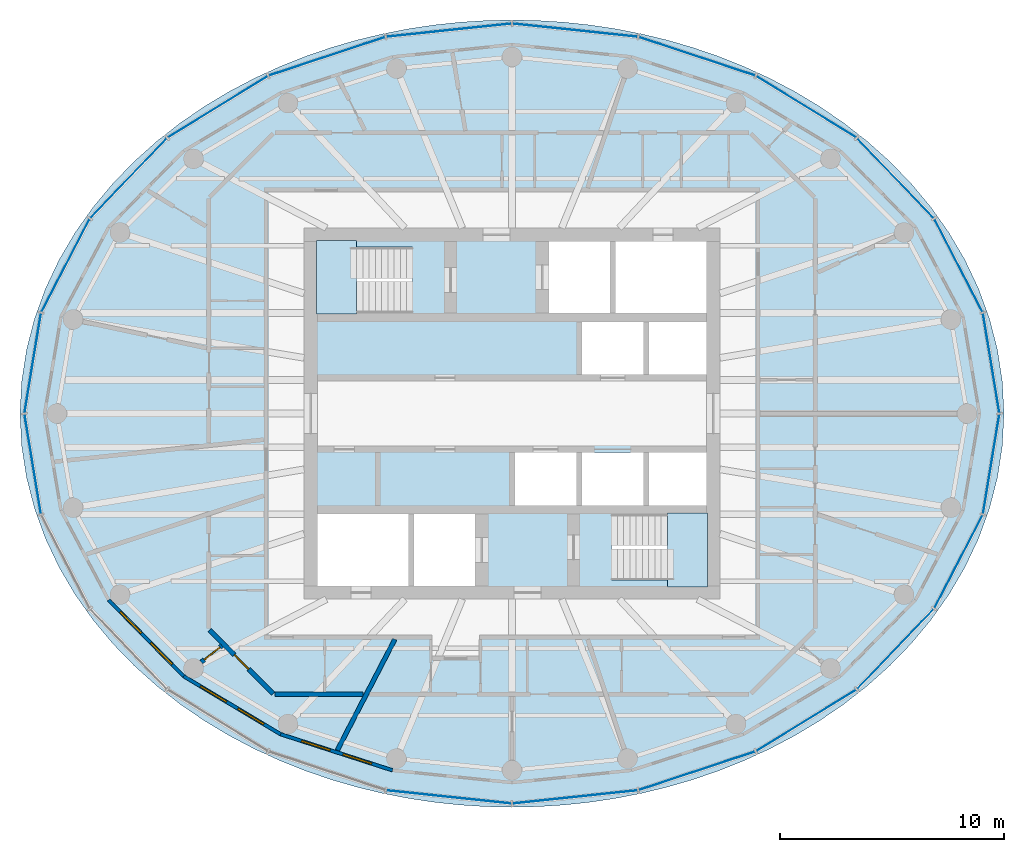
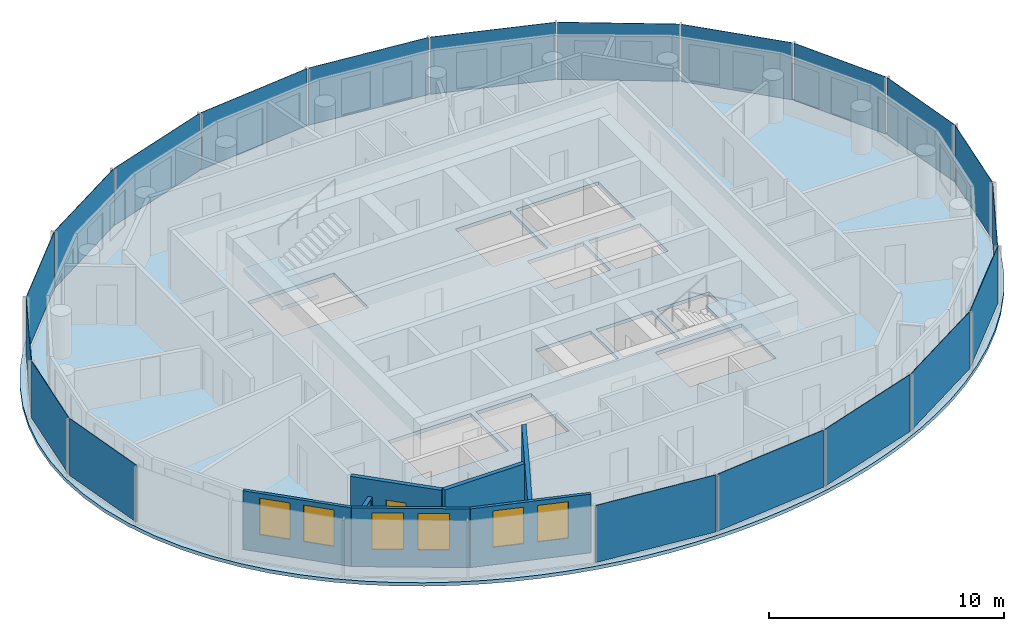
# One storey, part 4 of 11: 20 plates, 7 walls, 6 windows, 3 slabs, 2 doors, 8 openings, 6 elements without a shape of their own.
"""IFC4 building model written with IfcOpenShell, lengths in metres."""

import ifcopenshell
import ifcopenshell.guid

model = None  # the IFC model being written
_history = None  # IfcOwnerHistory: only IFC2X3 demands one
_inside = {}  # id of a spatial element -> (the spatial element, [elements in it])
_under = {}  # id of a project, library or spatial element -> (it, [spatial elements below it])
_declared = {}  # id of a project -> (the project, [libraries it declares])
_typed = {}  # id of a type object -> (the type object, [elements of that type])
_made_of = {}  # id of a material, layer set ... -> (it, [elements and type objects made of it])


def new_model(schema):
    """Start an empty IFC model of exactly this schema.

    Asked for "IFC4X3", IfcOpenShell would pick the latest addendum, in which some entities
    have other attributes; the version numbers below select the first issue.
    IFC2X3 requires an IfcOwnerHistory on every rooted entity: one is made here for all.
    """
    global model, _history
    if schema == "IFC4X3":
        model = ifcopenshell.file(schema_version=(4, 3, 0, 0))
    else:
        model = ifcopenshell.file(schema=schema)
    _inside.clear()
    _under.clear()
    _declared.clear()
    _typed.clear()
    _made_of.clear()
    _history = None
    if model.schema == "IFC2X3":
        org = make("IfcOrganization", Name="unknown")
        user = make(
            "IfcPersonAndOrganization",
            ThePerson=make("IfcPerson", FamilyName="unknown"),
            TheOrganization=org,
        )
        app = make(
            "IfcApplication",
            ApplicationDeveloper=org,
            Version="unknown",
            ApplicationFullName="unknown",
            ApplicationIdentifier="unknown",
        )
        _history = make(
            "IfcOwnerHistory",
            OwningUser=user,
            OwningApplication=app,
            ChangeAction="ADDED",
            CreationDate=0,
        )
    return model


def make(cls, **values):
    """One entity of the class cls with the attributes given. An attribute that is None is left unset."""
    return model.create_entity(
        cls, **{name: value for name, value in values.items() if value is not None}
    )


def rooted(cls, **values):
    """An entity with a GlobalId (a new one), such as an element, a storey or a relation."""
    return make(cls, GlobalId=ifcopenshell.guid.new(), OwnerHistory=_history, **values)


def si_unit(unit_type, name, prefix=None):
    """IfcSIUnit, for example si_unit("LENGTHUNIT", "METRE", prefix="MILLI")."""
    return make("IfcSIUnit", UnitType=unit_type, Prefix=prefix, Name=name)


def assignment(units):
    """IfcUnitAssignment: the units of a project."""
    return None if units is None else make("IfcUnitAssignment", Units=units)


def point(xyz):
    """IfcCartesianPoint."""
    return None if xyz is None else make("IfcCartesianPoint", Coordinates=xyz)


def direction(xyz):
    """IfcDirection."""
    return None if xyz is None else make("IfcDirection", DirectionRatios=xyz)


def frame(location, z_axis=None, x_axis=None):
    """IfcAxis2Placement3D, a coordinate frame: its origin and axes. An axis left out is left unset."""
    return make(
        "IfcAxis2Placement3D",
        Location=point(location),
        Axis=direction(z_axis),
        RefDirection=direction(x_axis),
    )


def frame_2d(location, x_axis=None):
    """IfcAxis2Placement2D, a coordinate frame in the plane: its origin and x axis."""
    return make(
        "IfcAxis2Placement2D", Location=point(location), RefDirection=direction(x_axis)
    )


def origin():
    """The frame at (0, 0, 0) with its axes left unset."""
    return frame((0.0, 0.0, 0.0))


def origin_2d():
    """The frame at (0, 0) in the plane with its x axis left unset."""
    return frame_2d((0.0, 0.0))


def place(relative_to, where):
    """IfcLocalPlacement: puts the frame where relative to a parent placement (None: the world)."""
    return make(
        "IfcLocalPlacement", PlacementRelTo=relative_to, RelativePlacement=where
    )


def context(
    kind, dimensions, precision=None, world=None, true_north=None, identifier=None
):
    """IfcGeometricRepresentationContext, for example the 3D "Model" context."""
    return make(
        "IfcGeometricRepresentationContext",
        ContextIdentifier=identifier,
        ContextType=kind,
        CoordinateSpaceDimension=dimensions,
        Precision=precision,
        WorldCoordinateSystem=world,
        TrueNorth=true_north,
    )


def subcontext(parent, identifier, kind, view, scale=None):
    """IfcGeometricRepresentationSubContext, for example "Body" below "Model"."""
    return make(
        "IfcGeometricRepresentationSubContext",
        ContextIdentifier=identifier,
        ContextType=kind,
        ParentContext=parent,
        TargetScale=scale,
        TargetView=view,
    )


def project(units=None, contexts=None):
    """IfcProject with its units and contexts."""
    return rooted(
        "IfcProject",
        Name="project",
        RepresentationContexts=contexts,
        UnitsInContext=assignment(units),
    )


def spatial(cls, under=None, at=None, **own):
    """A site, building, storey or space (cls), placed at a placement, below another one or the project."""
    s = rooted(cls, ObjectPlacement=at, **own)
    if under is not None:
        _under.setdefault(under.id(), (under, []))[1].append(s)
    return s


def polyline(points):
    """IfcPolyline through the points."""
    return make("IfcPolyline", Points=[point(p) for p in points])


def profile(cls, at=None, kind="AREA", **sizes):
    """A parametric profile (cls). Its sizes go by their IFC names, for example OverallWidth=200.0."""
    return make(cls, ProfileType=kind, Position=at, **sizes)


def rectangle(**sizes):
    """IfcRectangleProfileDef."""
    return profile("IfcRectangleProfileDef", **sizes)


def outline(outer, holes=None, kind="AREA"):
    """IfcArbitraryClosedProfileDef: a profile drawn as a closed curve; with holes, ...WithVoids."""
    if holes is None:
        return make("IfcArbitraryClosedProfileDef", ProfileType=kind, OuterCurve=outer)
    return make(
        "IfcArbitraryProfileDefWithVoids",
        ProfileType=kind,
        OuterCurve=outer,
        InnerCurves=holes,
    )


def extrude(swept, where, along, depth):
    """IfcExtrudedAreaSolid: the profile swept, set in the frame where, extruded along a direction by depth."""
    return make(
        "IfcExtrudedAreaSolid",
        SweptArea=swept,
        Position=where,
        ExtrudedDirection=direction(along),
        Depth=depth,
    )


def shape(context_of_items, identifier, shape_type, items):
    """IfcShapeRepresentation: the items that make up one representation, for example the "Body"."""
    return make(
        "IfcShapeRepresentation",
        ContextOfItems=context_of_items,
        RepresentationIdentifier=identifier,
        RepresentationType=shape_type,
        Items=items,
    )


def material(Name=None, Category=None):
    """IfcMaterial."""
    return make("IfcMaterial", Name=Name, Category=Category)


def layer(
    of_material, thickness, ventilated=None, Name=None, Category=None, Priority=None
):
    """IfcMaterialLayer: one layer of a wall or slab, of a material (None: an air gap)."""
    return make(
        "IfcMaterialLayer",
        Material=of_material,
        LayerThickness=thickness,
        IsVentilated=ventilated,
        Name=Name,
        Category=Category,
        Priority=Priority,
    )


def layer_set(layers, Name=None):
    """IfcMaterialLayerSet."""
    return make("IfcMaterialLayerSet", MaterialLayers=layers, LayerSetName=Name)


def made_of(thing, what):
    """Note that an element or type object is made of a material, layer set ...; save() writes the relation."""
    if what is not None:
        _made_of.setdefault(what.id(), (what, []))[1].append(thing)
    return thing


def type_object(cls, material=None, **own):
    """A type object (cls), such as IfcWallType, which elements share."""
    return made_of(rooted(cls, **own), material)


def element(
    cls,
    number,
    at=None,
    inside=None,
    cuts=None,
    type_object=None,
    material=None,
    context=None,
    identifier="Body",
    shape_type=None,
    held_by="IfcProductDefinitionShape",
    body=None,
    shapes=None,
    **own,
):
    """One element of the class cls, such as IfcWall. Its Tag is "e" and its number.

    at: its placement. inside: the storey or other place that contains it. cuts: it is an
    opening in that element (IfcRelVoidsElement). A single representation is given by context,
    identifier, shape_type and body (its items); several are given by shapes. held_by: the class
    of the entity that holds the representations. save() writes the other relations.
    """
    e = rooted(cls, Tag="e%d" % number, ObjectPlacement=at, **own)
    if body is not None:
        shapes = [shape(context, identifier, shape_type, body)]
    if shapes is not None:
        e.Representation = make(held_by, Representations=shapes)
    if inside is not None:
        _inside.setdefault(inside.id(), (inside, []))[1].append(e)
    if cuts is not None:
        rooted(
            "IfcRelVoidsElement", RelatingBuildingElement=cuts, RelatedOpeningElement=e
        )
    if type_object is not None:
        _typed.setdefault(type_object.id(), (type_object, []))[1].append(e)
    return made_of(e, material)


def fill(opening, filler):
    """IfcRelFillsElement: the door or window that sits in an opening."""
    return rooted(
        "IfcRelFillsElement",
        RelatingOpeningElement=opening,
        RelatedBuildingElement=filler,
    )


def aggregate(whole, parts):
    """IfcRelAggregates: a whole, such as a stair, and the parts it consists of."""
    return rooted("IfcRelAggregates", RelatingObject=whole, RelatedObjects=parts)


def save(model, path):
    """Write the relations noted so far, then the file.

    IfcRelAggregates (storeys below a building ...), IfcRelContainedInSpatialStructure (elements
    in a storey), IfcRelDefinesByType, IfcRelAssociatesMaterial and IfcRelDeclares: one each for
    every whole, place, type object, material and project.
    """
    for whole, parts in _under.values():
        aggregate(whole, parts)
    for where, things in _inside.values():
        rooted(
            "IfcRelContainedInSpatialStructure",
            RelatedElements=things,
            RelatingStructure=where,
        )
    for kind, things in _typed.values():
        rooted("IfcRelDefinesByType", RelatedObjects=things, RelatingType=kind)
    for what, things in _made_of.values():
        rooted("IfcRelAssociatesMaterial", RelatedObjects=things, RelatingMaterial=what)
    for by, libraries in _declared.values():
        rooted("IfcRelDeclares", RelatingContext=by, RelatedDefinitions=libraries)
    model.write(path)


model = new_model("IFC4")

# Units and contexts
model_context = context("Model", 3, precision=1e-05, world=origin(), true_north=direction((0.0, 1.0)))
body_context = subcontext(model_context, "Body", "Model", "MODEL_VIEW")
ifc_project = project(units=[si_unit("LENGTHUNIT", "METRE"), si_unit("AREAUNIT", "SQUARE_METRE"), si_unit("VOLUMEUNIT", "CUBIC_METRE"), si_unit("PLANEANGLEUNIT", "RADIAN"), si_unit("MASSUNIT", "GRAM", prefix="KILO")], contexts=[model_context])

# Site, building, storey
site_placement = place(None, origin())
site = spatial("IfcSite", under=ifc_project, at=site_placement, CompositionType="ELEMENT")
building_placement = place(site_placement, origin())
building = spatial("IfcBuilding", under=site, at=building_placement, Name="Hankou Lantern Tower", CompositionType="ELEMENT")
storey_placement = place(building_placement, frame((0.0, 0.0, 229.199951171875)))
storey = spatial("IfcBuildingStorey", under=building, at=storey_placement, Name="L62", CompositionType="ELEMENT", Elevation=229.199951171875)

# Curtain wall, plates
ifc_material_1 = material(Name="Glass, dark grey tinted laminated", Category="glass")
curtain_wall_type = type_object("IfcCurtainWallType", Name="CWD OUTER SKIN SUITE", PredefinedType="USERDEFINED", material=ifc_material_1)
curtain_wall_1_placement = place(storey_placement, origin())
curtain_wall_1 = element("IfcCurtainWall", 1, at=curtain_wall_1_placement, inside=storey, type_object=curtain_wall_type, Name="CWD L62 OS1", ObjectType="OUTER SKIN SUITE", PredefinedType="USERDEFINED")
ifc_material_2 = material(Name="Glass, dark grey tinted laminated", Category="glass")
ifc_layer_1 = layer(ifc_material_2, 0.02392578125)
ifc_layer_set_1 = layer_set([ifc_layer_1], Name="Glass, dark grey tinted laminated")
plate_type = type_object("IfcPlateType", Name="PN1 OUTER SKIN GLASS PANEL", PredefinedType="CURTAIN_PANEL", material=ifc_layer_set_1)
plate_1_placement = place(storey_placement, frame((21.4287109375, 2.2568359375, 0.080078125), z_axis=(0.0, 0.0, 1.0), x_axis=(-0.162381515188, 0.986728049427, 0.0)))
plate_1 = element("IfcPlate", 2, at=plate_1_placement, type_object=plate_type, Name="CWD glass panel 1", PredefinedType="CURTAIN_PANEL", context=body_context, shape_type="SweptSolid", body=[
    extrude(rectangle(XDim=4.49462890625, YDim=0.02392578125, at=origin_2d()), origin(), (0.0, 0.0, 1.0), 2.969970703125),
])
plate_2_placement = place(storey_placement, frame((19.96826171875, 6.616943359375, 0.080078125), z_axis=(0.0, 0.0, 1.0), x_axis=(-0.459791091957, 0.888027112062, 0.0)))
plate_2 = element("IfcPlate", 3, at=plate_2_placement, type_object=plate_type, Name="CWD glass panel 2", PredefinedType="CURTAIN_PANEL", context=body_context, shape_type="SweptSolid", body=[
    extrude(rectangle(XDim=4.656494140625, YDim=0.02392578125, at=origin_2d()), origin(), (0.0, 0.0, 1.0), 2.969970703125),
])
plate_3_placement = place(storey_placement, frame((17.147216796875, 10.52587890625, 0.080078125), z_axis=(0.0, 0.0, 1.0), x_axis=(-0.692215809936, 0.721690565599, 0.0)))
plate_3 = element("IfcPlate", 4, at=plate_3_placement, type_object=plate_type, Name="CWD glass panel 3", PredefinedType="CURTAIN_PANEL", context=body_context, shape_type="SweptSolid", body=[
    extrude(rectangle(XDim=4.9248046875, YDim=0.02392578125, at=origin_2d()), origin(), (0.0, 0.0, 1.0), 2.969970703125),
])
plate_4_placement = place(storey_placement, frame((13.157470703125, 13.7177734375, 0.080078125), z_axis=(0.0, 0.0, 1.0), x_axis=(-0.852237151549, 0.523155653242, 0.0)))
plate_4 = element("IfcPlate", 5, at=plate_4_placement, type_object=plate_type, Name="CWD glass panel 4", PredefinedType="CURTAIN_PANEL", context=body_context, shape_type="SweptSolid", body=[
    extrude(rectangle(XDim=5.2177734375, YDim=0.02392578125, at=origin_2d()), origin(), (0.0, 0.0, 1.0), 2.969970703125),
])
plate_5_placement = place(storey_placement, frame((8.271240234375, 15.974609375, 0.080078125), z_axis=(0.0, 0.0, 1.0), x_axis=(-0.949240677293, 0.31455068999, 0.0)))
plate_5 = element("IfcPlate", 6, at=plate_5_placement, type_object=plate_type, Name="CWD glass panel 5", PredefinedType="CURTAIN_PANEL", context=body_context, shape_type="SweptSolid", body=[
    extrude(rectangle(XDim=5.458984375, YDim=0.02392578125, at=origin_2d()), origin(), (0.0, 0.0, 1.0), 2.969970703125),
])
plate_6_placement = place(storey_placement, frame((2.821044921875, 17.142822265625, 0.080078125), z_axis=(0.0, 0.0, 1.0), x_axis=(-0.994499359107, 0.104742659579, 0.0)))
plate_6 = element("IfcPlate", 7, at=plate_6_placement, type_object=plate_type, Name="CWD glass panel 6", PredefinedType="CURTAIN_PANEL", context=body_context, shape_type="SweptSolid", body=[
    extrude(rectangle(XDim=5.593505859375, YDim=0.02392578125, at=origin_2d()), origin(), (0.0, 0.0, 1.0), 2.969970703125),
])
aggregate(curtain_wall_1, [plate_1, plate_2, plate_3, plate_4, plate_5, plate_6])

curtain_wall_2_placement = place(storey_placement, origin())
curtain_wall_2 = element("IfcCurtainWall", 8, at=curtain_wall_2_placement, inside=storey, type_object=curtain_wall_type, Name="CWD L62 OS2", ObjectType="OUTER SKIN SUITE", PredefinedType="USERDEFINED")
plate_7_placement = place(storey_placement, frame((-2.821044921875, 17.142822265625, 0.080078125), z_axis=(0.0, 0.0, 1.0), x_axis=(-0.994499359107, -0.104742659579, 0.0)))
plate_7 = element("IfcPlate", 9, at=plate_7_placement, type_object=plate_type, Name="CWD glass panel 1", PredefinedType="CURTAIN_PANEL", context=body_context, shape_type="SweptSolid", body=[
    extrude(rectangle(XDim=5.593505859375, YDim=0.02392578125, at=origin_2d()), origin(), (0.0, 0.0, 1.0), 2.969970703125),
])
plate_8_placement = place(storey_placement, frame((-8.271240234375, 15.974609375, 0.080078125), z_axis=(0.0, 0.0, 1.0), x_axis=(-0.949240677293, -0.31455068999, 0.0)))
plate_8 = element("IfcPlate", 10, at=plate_8_placement, type_object=plate_type, Name="CWD glass panel 2", PredefinedType="CURTAIN_PANEL", context=body_context, shape_type="SweptSolid", body=[
    extrude(rectangle(XDim=5.458984375, YDim=0.02392578125, at=origin_2d()), origin(), (0.0, 0.0, 1.0), 2.969970703125),
])
plate_9_placement = place(storey_placement, frame((-13.157470703125, 13.7177734375, 0.080078125), z_axis=(0.0, 0.0, 1.0), x_axis=(-0.852237151549, -0.523155653242, 0.0)))
plate_9 = element("IfcPlate", 11, at=plate_9_placement, type_object=plate_type, Name="CWD glass panel 3", PredefinedType="CURTAIN_PANEL", context=body_context, shape_type="SweptSolid", body=[
    extrude(rectangle(XDim=5.2177734375, YDim=0.02392578125, at=origin_2d()), origin(), (0.0, 0.0, 1.0), 2.969970703125),
])
plate_10_placement = place(storey_placement, frame((-17.147216796875, 10.52587890625, 0.080078125), z_axis=(0.0, 0.0, 1.0), x_axis=(-0.692215809936, -0.721690565599, 0.0)))
plate_10 = element("IfcPlate", 12, at=plate_10_placement, type_object=plate_type, Name="CWD glass panel 4", PredefinedType="CURTAIN_PANEL", context=body_context, shape_type="SweptSolid", body=[
    extrude(rectangle(XDim=4.9248046875, YDim=0.02392578125, at=origin_2d()), origin(), (0.0, 0.0, 1.0), 2.969970703125),
])
plate_11_placement = place(storey_placement, frame((-19.96826171875, 6.616943359375, 0.080078125), z_axis=(0.0, 0.0, 1.0), x_axis=(-0.459791091957, -0.888027112062, 0.0)))
plate_11 = element("IfcPlate", 13, at=plate_11_placement, type_object=plate_type, Name="CWD glass panel 5", PredefinedType="CURTAIN_PANEL", context=body_context, shape_type="SweptSolid", body=[
    extrude(rectangle(XDim=4.656494140625, YDim=0.02392578125, at=origin_2d()), origin(), (0.0, 0.0, 1.0), 2.969970703125),
])
plate_12_placement = place(storey_placement, frame((-21.4287109375, 2.2568359375, 0.080078125), z_axis=(0.0, 0.0, 1.0), x_axis=(-0.162381515188, -0.986728049427, 0.0)))
plate_12 = element("IfcPlate", 14, at=plate_12_placement, type_object=plate_type, Name="CWD glass panel 6", PredefinedType="CURTAIN_PANEL", context=body_context, shape_type="SweptSolid", body=[
    extrude(rectangle(XDim=4.49462890625, YDim=0.02392578125, at=origin_2d()), origin(), (0.0, 0.0, 1.0), 2.969970703125),
])
aggregate(curtain_wall_2, [plate_7, plate_8, plate_9, plate_10, plate_11, plate_12])

curtain_wall_3_placement = place(storey_placement, origin())
curtain_wall_3 = element("IfcCurtainWall", 15, at=curtain_wall_3_placement, inside=storey, type_object=curtain_wall_type, Name="CWD L62 OS3", ObjectType="OUTER SKIN SUITE", PredefinedType="USERDEFINED")
plate_13_placement = place(storey_placement, frame((-21.4287109375, -2.2568359375, 0.080078125), z_axis=(0.0, 0.0, 1.0), x_axis=(0.162381515188, -0.986728049427, 0.0)))
plate_13 = element("IfcPlate", 16, at=plate_13_placement, type_object=plate_type, Name="CWD glass panel 1", PredefinedType="CURTAIN_PANEL", context=body_context, shape_type="SweptSolid", body=[
    extrude(rectangle(XDim=4.49462890625, YDim=0.02392578125, at=origin_2d()), origin(), (0.0, 0.0, 1.0), 2.969970703125),
])
plate_14_placement = place(storey_placement, frame((-2.821044921875, -17.142822265625, 0.080078125), z_axis=(0.0, 0.0, 1.0), x_axis=(0.994499359107, -0.104742659579, 0.0)))
plate_14 = element("IfcPlate", 17, at=plate_14_placement, type_object=plate_type, Name="CWD glass panel 6", PredefinedType="CURTAIN_PANEL", context=body_context, shape_type="SweptSolid", body=[
    extrude(rectangle(XDim=5.593505859375, YDim=0.02392578125, at=origin_2d()), origin(), (0.0, 0.0, 1.0), 2.969970703125),
])
aggregate(curtain_wall_3, [plate_13, plate_14])

curtain_wall_4_placement = place(storey_placement, origin())
curtain_wall_4 = element("IfcCurtainWall", 18, at=curtain_wall_4_placement, inside=storey, type_object=curtain_wall_type, Name="CWD L62 OS4", ObjectType="OUTER SKIN SUITE", PredefinedType="USERDEFINED")
plate_15_placement = place(storey_placement, frame((2.821044921875, -17.142822265625, 0.080078125), z_axis=(0.0, 0.0, 1.0), x_axis=(0.994499359107, 0.104742659579, 0.0)))
plate_15 = element("IfcPlate", 19, at=plate_15_placement, type_object=plate_type, Name="CWD glass panel 1", PredefinedType="CURTAIN_PANEL", context=body_context, shape_type="SweptSolid", body=[
    extrude(rectangle(XDim=5.593505859375, YDim=0.02392578125, at=origin_2d()), origin(), (0.0, 0.0, 1.0), 2.969970703125),
])
plate_16_placement = place(storey_placement, frame((8.271240234375, -15.974609375, 0.080078125), z_axis=(0.0, 0.0, 1.0), x_axis=(0.949240677293, 0.31455068999, 0.0)))
plate_16 = element("IfcPlate", 20, at=plate_16_placement, type_object=plate_type, Name="CWD glass panel 2", PredefinedType="CURTAIN_PANEL", context=body_context, shape_type="SweptSolid", body=[
    extrude(rectangle(XDim=5.458984375, YDim=0.02392578125, at=origin_2d()), origin(), (0.0, 0.0, 1.0), 2.969970703125),
])
plate_17_placement = place(storey_placement, frame((13.157470703125, -13.7177734375, 0.080078125), z_axis=(0.0, 0.0, 1.0), x_axis=(0.852237151549, 0.523155653242, 0.0)))
plate_17 = element("IfcPlate", 21, at=plate_17_placement, type_object=plate_type, Name="CWD glass panel 3", PredefinedType="CURTAIN_PANEL", context=body_context, shape_type="SweptSolid", body=[
    extrude(rectangle(XDim=5.2177734375, YDim=0.02392578125, at=origin_2d()), origin(), (0.0, 0.0, 1.0), 2.969970703125),
])
plate_18_placement = place(storey_placement, frame((17.147216796875, -10.52587890625, 0.080078125), z_axis=(0.0, 0.0, 1.0), x_axis=(0.692215809936, 0.721690565599, 0.0)))
plate_18 = element("IfcPlate", 22, at=plate_18_placement, type_object=plate_type, Name="CWD glass panel 4", PredefinedType="CURTAIN_PANEL", context=body_context, shape_type="SweptSolid", body=[
    extrude(rectangle(XDim=4.9248046875, YDim=0.02392578125, at=origin_2d()), origin(), (0.0, 0.0, 1.0), 2.969970703125),
])
plate_19_placement = place(storey_placement, frame((19.96826171875, -6.616943359375, 0.080078125), z_axis=(0.0, 0.0, 1.0), x_axis=(0.459791091957, 0.888027112062, 0.0)))
plate_19 = element("IfcPlate", 23, at=plate_19_placement, type_object=plate_type, Name="CWD glass panel 5", PredefinedType="CURTAIN_PANEL", context=body_context, shape_type="SweptSolid", body=[
    extrude(rectangle(XDim=4.656494140625, YDim=0.02392578125, at=origin_2d()), origin(), (0.0, 0.0, 1.0), 2.969970703125),
])
plate_20_placement = place(storey_placement, frame((21.4287109375, -2.2568359375, 0.080078125), z_axis=(0.0, 0.0, 1.0), x_axis=(0.162381515188, 0.986728049427, 0.0)))
plate_20 = element("IfcPlate", 24, at=plate_20_placement, type_object=plate_type, Name="CWD glass panel 6", PredefinedType="CURTAIN_PANEL", context=body_context, shape_type="SweptSolid", body=[
    extrude(rectangle(XDim=4.49462890625, YDim=0.02392578125, at=origin_2d()), origin(), (0.0, 0.0, 1.0), 2.969970703125),
])
aggregate(curtain_wall_4, [plate_15, plate_16, plate_17, plate_18, plate_19, plate_20])

# Slab
ifc_material_3 = material(Name="Concrete C50", Category="concrete")
ifc_layer_2 = layer(ifc_material_3, 0.179931640625)
ifc_layer_set_2 = layer_set([ifc_layer_2], Name="Concrete C50")
slab_type_1 = type_object("IfcSlabType", Name="S1 CONCRETE FLOOR SLAB 180", PredefinedType="FLOOR", material=ifc_layer_set_2)
slab_1_placement = place(storey_placement, frame((0.0, 0.0, -0.179931640625)))
element("IfcSlab", 25, at=slab_1_placement, inside=storey, type_object=slab_type_1, Name="Floor slab L62", PredefinedType="FLOOR", context=body_context, shape_type="SweptSolid", body=[
    extrude(outline(polyline([(22.0, 0.0), (21.926513671875, 1.437255859375), (21.7080078125, 2.85791015625), (21.349853515625, 4.246826171875), (20.861083984375, 5.589599609375), (20.252197265625, 6.874755859375), (19.53662109375, 8.09228515625), (18.727783203125, 9.235595703125), (17.83935546875, 10.299560546875), (16.88525390625, 11.2822265625), (15.877197265625, 12.18310546875), (14.82666015625, 13.002685546875), (13.743408203125, 13.743408203125), (12.63525390625, 14.40771484375), (11.509521484375, 14.999267578125), (10.37109375, 15.521728515625), (9.224853515625, 15.97802734375), (8.07373046875, 16.3720703125), (6.920166015625, 16.70654296875), (5.765625, 16.98486328125), (4.611083984375, 17.208984375), (3.457275390625, 17.38134765625), (2.304443359375, 17.503173828125), (1.152099609375, 17.575927734375), (0.0, 17.60009765625), (-1.152099609375, 17.575927734375), (-2.304443359375, 17.503173828125), (-3.457275390625, 17.38134765625), (-4.611083984375, 17.208984375), (-5.765625, 16.98486328125), (-6.920166015625, 16.70654296875), (-8.07373046875, 16.3720703125), (-9.224853515625, 15.97802734375), (-10.37109375, 15.521728515625), (-11.509521484375, 14.999267578125), (-12.63525390625, 14.40771484375), (-13.743408203125, 13.743408203125), (-14.82666015625, 13.002685546875), (-15.877197265625, 12.18310546875), (-16.88525390625, 11.2822265625), (-17.83935546875, 10.299560546875), (-18.727783203125, 9.235595703125), (-19.53662109375, 8.09228515625), (-20.252197265625, 6.874755859375), (-20.861083984375, 5.589599609375), (-21.349853515625, 4.246826171875), (-21.7080078125, 2.85791015625), (-21.926513671875, 1.437255859375), (-22.0, 0.0), (-21.926513671875, -1.437255859375), (-21.7080078125, -2.85791015625), (-21.349853515625, -4.246826171875), (-20.861083984375, -5.589599609375), (-20.252197265625, -6.874755859375), (-19.53662109375, -8.09228515625), (-18.727783203125, -9.235595703125), (-17.83935546875, -10.299560546875), (-16.88525390625, -11.2822265625), (-15.877197265625, -12.18310546875), (-14.82666015625, -13.002685546875), (-13.743408203125, -13.743408203125), (-12.63525390625, -14.40771484375), (-11.509521484375, -14.999267578125), (-10.37109375, -15.521728515625), (-9.224853515625, -15.97802734375), (-8.07373046875, -16.3720703125), (-6.920166015625, -16.70654296875), (-5.765625, -16.98486328125), (-4.611083984375, -17.208984375), (-3.457275390625, -17.38134765625), (-2.304443359375, -17.503173828125), (-1.152099609375, -17.575927734375), (0.0, -17.60009765625), (1.152099609375, -17.575927734375), (2.304443359375, -17.503173828125), (3.457275390625, -17.38134765625), (4.611083984375, -17.208984375), (5.765625, -16.98486328125), (6.920166015625, -16.70654296875), (8.07373046875, -16.3720703125), (9.224853515625, -15.97802734375), (10.37109375, -15.521728515625), (11.509521484375, -14.999267578125), (12.63525390625, -14.40771484375), (13.743408203125, -13.743408203125), (14.82666015625, -13.002685546875), (15.877197265625, -12.18310546875), (16.88525390625, -11.2822265625), (17.83935546875, -10.299560546875), (18.727783203125, -9.235595703125), (19.53662109375, -8.09228515625), (20.252197265625, -6.874755859375), (20.861083984375, -5.589599609375), (21.349853515625, -4.246826171875), (21.7080078125, -2.85791015625), (21.926513671875, -1.437255859375), (22.0, 0.0)]), holes=[polyline([(3.125, 4.10009765625), (5.875, 4.10009765625), (5.875, 1.75), (3.125, 1.75), (3.125, 4.10009765625)]), polyline([(6.125, 4.10009765625), (8.699951171875, 4.10009765625), (8.699951171875, 1.75), (6.125, 1.75), (6.125, 4.10009765625)]), polyline([(0.125, -1.75), (2.875, -1.75), (2.875, -4.10009765625), (0.125, -4.10009765625), (0.125, -1.75)]), polyline([(3.125, -1.75), (5.875, -1.75), (5.875, -4.10009765625), (3.125, -4.10009765625), (3.125, -1.75)]), polyline([(6.125, -1.75), (8.699951171875, -1.75), (8.699951171875, -4.10009765625), (6.125, -4.10009765625), (6.125, -1.75)]), polyline([(1.64990234375, 7.699951171875), (4.375, 7.699951171875), (4.375, 4.5), (1.64990234375, 4.5), (1.64990234375, 7.699951171875)]), polyline([(-4.375, -4.5), (-1.64990234375, -4.5), (-1.64990234375, -7.699951171875), (-4.375, -7.699951171875), (-4.375, -4.5)]), polyline([(-8.699951171875, 7.449951171875), (-4.449951171875, 7.449951171875), (-4.449951171875, 4.5), (-8.699951171875, 4.5), (-8.699951171875, 7.449951171875)]), polyline([(4.449951171875, -4.5), (8.699951171875, -4.5), (8.699951171875, -7.449951171875), (4.449951171875, -7.449951171875), (4.449951171875, -4.5)]), polyline([(4.625, 7.699951171875), (8.699951171875, 7.699951171875), (8.699951171875, 4.5), (4.625, 4.5), (4.625, 7.699951171875)]), polyline([(-8.699951171875, -4.5), (-4.625, -4.5), (-4.625, -7.699951171875), (-8.699951171875, -7.699951171875), (-8.699951171875, -4.5)])]), origin(), (0.0, 0.0, 1.0), 0.179931640625),
])

# Stair, slab
ifc_material_4 = material(Name="Concrete C40", Category="concrete")
stair_type = type_object("IfcStairType", Name="ST33 CORE STAIR 3300 RISE", PredefinedType="HALF_TURN_STAIR", material=ifc_material_4)
stair_1_placement = place(storey_placement, origin())
stair_1 = element("IfcStair", 26, at=stair_1_placement, inside=storey, type_object=stair_type, Name="Stair STA L62", PredefinedType="HALF_TURN_STAIR")
ifc_material_5 = material(Name="Concrete C40", Category="concrete")
ifc_layer_3 = layer(ifc_material_5, 0.199951171875)
ifc_layer_set_3 = layer_set([ifc_layer_3], Name="Concrete C40")
slab_type_2 = type_object("IfcSlabType", Name="SL1 STAIR LANDING 200", PredefinedType="LANDING", material=ifc_layer_set_3)
slab_2_placement = place(storey_placement, frame((0.0, 0.0, 1.37158203125)))
slab_2 = element("IfcSlab", 27, at=slab_2_placement, type_object=slab_type_2, Name="STA landing 1", PredefinedType="LANDING", context=body_context, shape_type="SweptSolid", body=[
    extrude(outline(polyline([(-8.75, 4.449951171875), (-6.949951171875, 4.449951171875), (-6.949951171875, 7.75), (-8.75, 7.75), (-8.75, 4.449951171875)])), origin(), (0.0, 0.0, 1.0), 0.199951171875),
])
aggregate(stair_1, [slab_2])

stair_2_placement = place(storey_placement, origin())
stair_2 = element("IfcStair", 28, at=stair_2_placement, inside=storey, type_object=stair_type, Name="Stair STB L62", PredefinedType="HALF_TURN_STAIR")
slab_3_placement = place(storey_placement, frame((0.0, 0.0, 1.37158203125)))
slab_3 = element("IfcSlab", 29, at=slab_3_placement, type_object=slab_type_2, Name="STB landing 1", PredefinedType="LANDING", context=body_context, shape_type="SweptSolid", body=[
    extrude(outline(polyline([(8.75, -4.449951171875), (6.949951171875, -4.449951171875), (6.949951171875, -7.75), (8.75, -7.75), (8.75, -4.449951171875)])), origin(), (0.0, 0.0, 1.0), 0.199951171875),
])
aggregate(stair_2, [slab_3])

# Wall, openings, windows
ifc_material_6 = material(Name="Aluminium spandrel panel on steel studs", Category="steel")
ifc_layer_4 = layer(ifc_material_6, 0.14990234375)
ifc_layer_set_4 = layer_set([ifc_layer_4], Name="Aluminium spandrel panel on steel studs")
wall_type_1 = type_object("IfcWallType", Name="EW1 INNER SKIN WALL 150", PredefinedType="ELEMENTEDWALL", material=ifc_layer_set_4)
wall_1_placement = place(storey_placement, frame((-18.03955078125, -8.33203125, 0.0), z_axis=(0.0, 0.0, 1.0), x_axis=(0.701527379618, -0.712642501993, 0.0)))
wall_1 = element("IfcWall", 30, at=wall_1_placement, inside=storey, type_object=wall_type_1, Name="Inner skin R15-R16 L62", PredefinedType="ELEMENTEDWALL", context=body_context, shape_type="SweptSolid", body=[
    extrude(rectangle(XDim=4.788330078125, YDim=0.14990234375, at=frame_2d((2.39404296875, 0.0))), origin(), (0.0, 0.0, 1.0), 3.050048828125),
])
opening_1_placement = place(wall_1_placement, frame((0.744140625, 0.0, 0.89990234375)))
opening_1 = element("IfcOpeningElement", 31, at=opening_1_placement, cuts=wall_1, Name="Opening W4", PredefinedType="OPENING", context=body_context, shape_type="SweptSolid", body=[
    extrude(rectangle(XDim=1.35009765625, YDim=1.89990234375, at=frame_2d((0.675048828125, 0.949951171875))), frame((0.0, 0.0849609375, 0.0), z_axis=(0.0, -1.0, 0.0), x_axis=(1.0, 0.0, 0.0)), (0.0, 0.0, 1.0), 0.169921875),
])
opening_2_placement = place(wall_1_placement, frame((2.694091796875, 0.0, 0.89990234375)))
opening_2 = element("IfcOpeningElement", 32, at=opening_2_placement, cuts=wall_1, Name="Opening W4", PredefinedType="OPENING", context=body_context, shape_type="SweptSolid", body=[
    extrude(rectangle(XDim=1.35009765625, YDim=1.89990234375, at=frame_2d((0.675048828125, 0.949951171875))), frame((0.0, 0.0849609375, 0.0), z_axis=(0.0, -1.0, 0.0), x_axis=(1.0, 0.0, 0.0)), (0.0, 0.0, 1.0), 0.169921875),
])
ifc_material_7 = material(Name="Aluminium framed double glazed window", Category="aluminium")
window_type = type_object("IfcWindowType", Name="W4 SUITE WINDOW 1350X1900", PartitioningType="DOUBLE_PANEL_VERTICAL", PredefinedType="WINDOW", material=ifc_material_7)
window_1_placement = place(opening_1_placement, origin())
window_1 = element("IfcWindow", 33, at=window_1_placement, inside=storey, type_object=window_type, Name="Window R15.1 L62", OverallHeight=1.89990234375, OverallWidth=1.35009765625, PartitioningType="SINGLE_PANEL", PredefinedType="WINDOW", context=body_context, shape_type="SweptSolid", body=[
    extrude(rectangle(XDim=1.35009765625, YDim=1.89990234375, at=frame_2d((0.675048828125, 0.949951171875))), frame((0.0, 0.030029296875, 0.0), z_axis=(0.0, -1.0, 0.0), x_axis=(1.0, 0.0, 0.0)), (0.0, 0.0, 1.0), 0.06005859375),
])
fill(opening_1, window_1)
window_2_placement = place(opening_2_placement, origin())
window_2 = element("IfcWindow", 34, at=window_2_placement, inside=storey, type_object=window_type, Name="Window R15.2 L62", OverallHeight=1.89990234375, OverallWidth=1.35009765625, PartitioningType="SINGLE_PANEL", PredefinedType="WINDOW", context=body_context, shape_type="SweptSolid", body=[
    extrude(rectangle(XDim=1.35009765625, YDim=1.89990234375, at=frame_2d((0.675048828125, 0.949951171875))), frame((0.0, 0.030029296875, 0.0), z_axis=(0.0, -1.0, 0.0), x_axis=(1.0, 0.0, 0.0)), (0.0, 0.0, 1.0), 0.06005859375),
])
fill(opening_2, window_2)

wall_2_placement = place(storey_placement, frame((-14.680419921875, -11.744384765625, 0.0), z_axis=(0.0, 0.0, 1.0), x_axis=(0.85822150553, -0.513279502265, 0.0)))
wall_2 = element("IfcWall", 35, at=wall_2_placement, inside=storey, type_object=wall_type_1, Name="Inner skin R16-R17 L62", PredefinedType="ELEMENTEDWALL", context=body_context, shape_type="SweptSolid", body=[
    extrude(rectangle(XDim=5.050048828125, YDim=0.14990234375, at=frame_2d((2.52490234375, 0.0))), origin(), (0.0, 0.0, 1.0), 3.050048828125),
])
opening_3_placement = place(wall_2_placement, frame((0.875, 0.0, 0.89990234375)))
opening_3 = element("IfcOpeningElement", 36, at=opening_3_placement, cuts=wall_2, Name="Opening W4", PredefinedType="OPENING", context=body_context, shape_type="SweptSolid", body=[
    extrude(rectangle(XDim=1.35009765625, YDim=1.89990234375, at=frame_2d((0.675048828125, 0.949951171875))), frame((0.0, 0.0849609375, 0.0), z_axis=(0.0, -1.0, 0.0), x_axis=(1.0, 0.0, 0.0)), (0.0, 0.0, 1.0), 0.169921875),
])
opening_4_placement = place(wall_2_placement, frame((2.824951171875, 0.0, 0.89990234375)))
opening_4 = element("IfcOpeningElement", 37, at=opening_4_placement, cuts=wall_2, Name="Opening W4", PredefinedType="OPENING", context=body_context, shape_type="SweptSolid", body=[
    extrude(rectangle(XDim=1.35009765625, YDim=1.89990234375, at=frame_2d((0.675048828125, 0.949951171875))), frame((0.0, 0.0849609375, 0.0), z_axis=(0.0, -1.0, 0.0), x_axis=(1.0, 0.0, 0.0)), (0.0, 0.0, 1.0), 0.169921875),
])
window_3_placement = place(opening_3_placement, origin())
window_3 = element("IfcWindow", 38, at=window_3_placement, inside=storey, type_object=window_type, Name="Window R16.1 L62", OverallHeight=1.89990234375, OverallWidth=1.35009765625, PartitioningType="SINGLE_PANEL", PredefinedType="WINDOW", context=body_context, shape_type="SweptSolid", body=[
    extrude(rectangle(XDim=1.35009765625, YDim=1.89990234375, at=frame_2d((0.675048828125, 0.949951171875))), frame((0.0, 0.030029296875, 0.0), z_axis=(0.0, -1.0, 0.0), x_axis=(1.0, 0.0, 0.0)), (0.0, 0.0, 1.0), 0.06005859375),
])
fill(opening_3, window_3)
window_4_placement = place(opening_4_placement, origin())
window_4 = element("IfcWindow", 39, at=window_4_placement, inside=storey, type_object=window_type, Name="Window R16.2 L62", OverallHeight=1.89990234375, OverallWidth=1.35009765625, PartitioningType="SINGLE_PANEL", PredefinedType="WINDOW", context=body_context, shape_type="SweptSolid", body=[
    extrude(rectangle(XDim=1.35009765625, YDim=1.89990234375, at=frame_2d((0.675048828125, 0.949951171875))), frame((0.0, 0.030029296875, 0.0), z_axis=(0.0, -1.0, 0.0), x_axis=(1.0, 0.0, 0.0)), (0.0, 0.0, 1.0), 0.06005859375),
])
fill(opening_4, window_4)

wall_3_placement = place(storey_placement, frame((-10.346435546875, -14.33642578125, 0.0), z_axis=(0.0, 0.0, 1.0), x_axis=(0.951644702515, -0.307200846638, 0.0)))
wall_3 = element("IfcWall", 40, at=wall_3_placement, inside=storey, type_object=wall_type_1, Name="Inner skin R17-R18 L62", PredefinedType="ELEMENTEDWALL", context=body_context, shape_type="SweptSolid", body=[
    extrude(rectangle(XDim=5.2578125, YDim=0.14990234375, at=frame_2d((2.62890625, 0.0))), origin(), (0.0, 0.0, 1.0), 3.050048828125),
])
opening_5_placement = place(wall_3_placement, frame((0.97900390625, 0.0, 0.89990234375)))
opening_5 = element("IfcOpeningElement", 41, at=opening_5_placement, cuts=wall_3, Name="Opening W4", PredefinedType="OPENING", context=body_context, shape_type="SweptSolid", body=[
    extrude(rectangle(XDim=1.35009765625, YDim=1.89990234375, at=frame_2d((0.675048828125, 0.949951171875))), frame((0.0, 0.0849609375, 0.0), z_axis=(0.0, -1.0, 0.0), x_axis=(1.0, 0.0, 0.0)), (0.0, 0.0, 1.0), 0.169921875),
])
opening_6_placement = place(wall_3_placement, frame((2.928955078125, 0.0, 0.89990234375)))
opening_6 = element("IfcOpeningElement", 42, at=opening_6_placement, cuts=wall_3, Name="Opening W4", PredefinedType="OPENING", context=body_context, shape_type="SweptSolid", body=[
    extrude(rectangle(XDim=1.35009765625, YDim=1.89990234375, at=frame_2d((0.675048828125, 0.949951171875))), frame((0.0, 0.0849609375, 0.0), z_axis=(0.0, -1.0, 0.0), x_axis=(1.0, 0.0, 0.0)), (0.0, 0.0, 1.0), 0.169921875),
])
window_5_placement = place(opening_5_placement, origin())
window_5 = element("IfcWindow", 43, at=window_5_placement, inside=storey, type_object=window_type, Name="Window R17.1 L62", OverallHeight=1.89990234375, OverallWidth=1.35009765625, PartitioningType="SINGLE_PANEL", PredefinedType="WINDOW", context=body_context, shape_type="SweptSolid", body=[
    extrude(rectangle(XDim=1.35009765625, YDim=1.89990234375, at=frame_2d((0.675048828125, 0.949951171875))), frame((0.0, 0.030029296875, 0.0), z_axis=(0.0, -1.0, 0.0), x_axis=(1.0, 0.0, 0.0)), (0.0, 0.0, 1.0), 0.06005859375),
])
fill(opening_5, window_5)
window_6_placement = place(opening_6_placement, origin())
window_6 = element("IfcWindow", 44, at=window_6_placement, inside=storey, type_object=window_type, Name="Window R17.2 L62", OverallHeight=1.89990234375, OverallWidth=1.35009765625, PartitioningType="SINGLE_PANEL", PredefinedType="WINDOW", context=body_context, shape_type="SweptSolid", body=[
    extrude(rectangle(XDim=1.35009765625, YDim=1.89990234375, at=frame_2d((0.675048828125, 0.949951171875))), frame((0.0, 0.030029296875, 0.0), z_axis=(0.0, -1.0, 0.0), x_axis=(1.0, 0.0, 0.0)), (0.0, 0.0, 1.0), 0.06005859375),
])
fill(opening_6, window_6)

# Wall
ifc_material_8 = material(Name="Masonry lightweight concrete block", Category="masonry")
ifc_layer_5 = layer(ifc_material_8, 0.199951171875)
ifc_layer_set_5 = layer_set([ifc_layer_5], Name="Masonry lightweight concrete block")
wall_type_2 = type_object("IfcWallType", Name="IW1 GUEST ROOM PARTY WALL 200", PredefinedType="PARTITIONING", material=ifc_layer_set_5)
wall_4_placement = place(storey_placement, frame((-5.2412109375, -10.10009765625, 0.0), z_axis=(0.0, 0.0, 1.0), x_axis=(-0.460603196597, -0.887606160008, 0.0)))
element("IfcWall", 45, at=wall_4_placement, inside=storey, type_object=wall_type_2, Name="Party wall R17-R18", PredefinedType="PARTITIONING", context=body_context, shape_type="SweptSolid", body=[
    extrude(rectangle(XDim=5.580322265625, YDim=0.199951171875, at=frame_2d((2.7900390625, 0.0))), origin(), (0.0, 0.0, 1.0), 3.050048828125),
])

# Wall, opening, door
ifc_material_9 = material(Name="Masonry lightweight concrete block", Category="masonry")
ifc_layer_6 = layer(ifc_material_9, 0.199951171875)
ifc_layer_set_6 = layer_set([ifc_layer_6], Name="Masonry lightweight concrete block")
wall_type_3 = type_object("IfcWallType", Name="IW6 SUITE PARTITION 200", PredefinedType="PARTITIONING", material=ifc_layer_set_6)
wall_5_placement = place(storey_placement, frame((-13.520751953125, -9.67919921875, 0.0), z_axis=(0.0, 0.0, 1.0), x_axis=(0.707106781187, -0.707106781187, 0.0)))
wall_5 = element("IfcWall", 46, at=wall_5_placement, inside=storey, type_object=wall_type_3, Name="Suite foyer wall 6204", PredefinedType="PARTITIONING", context=body_context, shape_type="SweptSolid", body=[
    extrude(rectangle(XDim=4.0185546875, YDim=0.199951171875, at=frame_2d((2.00927734375, 0.0))), origin(), (0.0, 0.0, 1.0), 3.050048828125),
])
opening_7_placement = place(wall_5_placement, frame((1.570068359375, 0.0, 0.0)))
opening_7 = element("IfcOpeningElement", 47, at=opening_7_placement, cuts=wall_5, Name="Opening D27", PredefinedType="OPENING", context=body_context, shape_type="SweptSolid", body=[
    extrude(rectangle(XDim=0.89990234375, YDim=2.10009765625, at=frame_2d((0.449951171875, 1.050048828125))), frame((0.0, 0.10986328125, 0.0), z_axis=(0.0, -1.0, 0.0), x_axis=(1.0, 0.0, 0.0)), (0.0, 0.0, 1.0), 0.219970703125),
])
ifc_material_10 = material(Name="Timber door leaf", Category="wood")
door_type = type_object("IfcDoorType", Name="D27 INTERNAL DOOR 900X2100", OperationType="SINGLE_SWING_LEFT", PredefinedType="DOOR", material=ifc_material_10)
door_1_placement = place(opening_7_placement, origin())
door_1 = element("IfcDoor", 48, at=door_1_placement, inside=storey, type_object=door_type, Name="Suite 6204 living room door", OperationType="SINGLE_SWING_RIGHT", OverallHeight=2.10009765625, OverallWidth=0.89990234375, PredefinedType="DOOR", context=body_context, shape_type="SweptSolid", body=[
    extrude(rectangle(XDim=0.89990234375, YDim=2.10009765625, at=frame_2d((0.449951171875, 1.050048828125))), frame((0.0, 0.02490234375, 0.0), z_axis=(0.0, -1.0, 0.0), x_axis=(1.0, 0.0, 0.0)), (0.0, 0.0, 1.0), 0.050048828125),
])
fill(opening_7, door_1)

# Wall
wall_6_placement = place(storey_placement, frame((-10.608642578125, -12.550048828125, 0.0), z_axis=(0.0, 0.0, 1.0), x_axis=(1.0, 0.0, 0.0)))
element("IfcWall", 49, at=wall_6_placement, inside=storey, type_object=wall_type_3, Name="Suite foyer wall 6204", PredefinedType="PARTITIONING", context=body_context, shape_type="SweptSolid", body=[
    extrude(rectangle(XDim=3.947265625, YDim=0.199951171875, at=frame_2d((1.9736328125, 0.0))), origin(), (0.0, 0.0, 1.0), 3.050048828125),
])

# Wall, opening, door
wall_7_placement = place(storey_placement, frame((-12.967529296875, -10.3740234375, 0.0), z_axis=(0.0, 0.0, 1.0), x_axis=(-0.780888968944, -0.624669847345, 0.0)))
wall_7 = element("IfcWall", 50, at=wall_7_placement, inside=storey, type_object=wall_type_3, Name="Suite partition R16", PredefinedType="PARTITIONING", context=body_context, shape_type="SweptSolid", body=[
    extrude(rectangle(XDim=1.181396484375, YDim=0.199951171875, at=frame_2d((0.5908203125, 0.0))), origin(), (0.0, 0.0, 1.0), 2.150146484375),
])
opening_8_placement = place(wall_7_placement, frame((0.1201171875, 0.0, 0.0)))
opening_8 = element("IfcOpeningElement", 51, at=opening_8_placement, cuts=wall_7, Name="Opening D27", PredefinedType="OPENING", context=body_context, shape_type="SweptSolid", body=[
    extrude(rectangle(XDim=0.89990234375, YDim=2.10009765625, at=frame_2d((0.449951171875, 1.050048828125))), frame((0.0, 0.10986328125, 0.0), z_axis=(0.0, -1.0, 0.0), x_axis=(1.0, 0.0, 0.0)), (0.0, 0.0, 1.0), 0.219970703125),
])
door_2_placement = place(opening_8_placement, origin())
door_2 = element("IfcDoor", 52, at=door_2_placement, inside=storey, type_object=door_type, Name="Suite 6204 bedroom door", OperationType="SINGLE_SWING_LEFT", OverallHeight=2.10009765625, OverallWidth=0.89990234375, PredefinedType="DOOR", context=body_context, shape_type="SweptSolid", body=[
    extrude(rectangle(XDim=0.89990234375, YDim=2.10009765625, at=frame_2d((0.449951171875, 1.050048828125))), frame((0.0, 0.02490234375, 0.0), z_axis=(0.0, -1.0, 0.0), x_axis=(1.0, 0.0, 0.0)), (0.0, 0.0, 1.0), 0.050048828125),
])
fill(opening_8, door_2)

save(model, "model.ifc")
